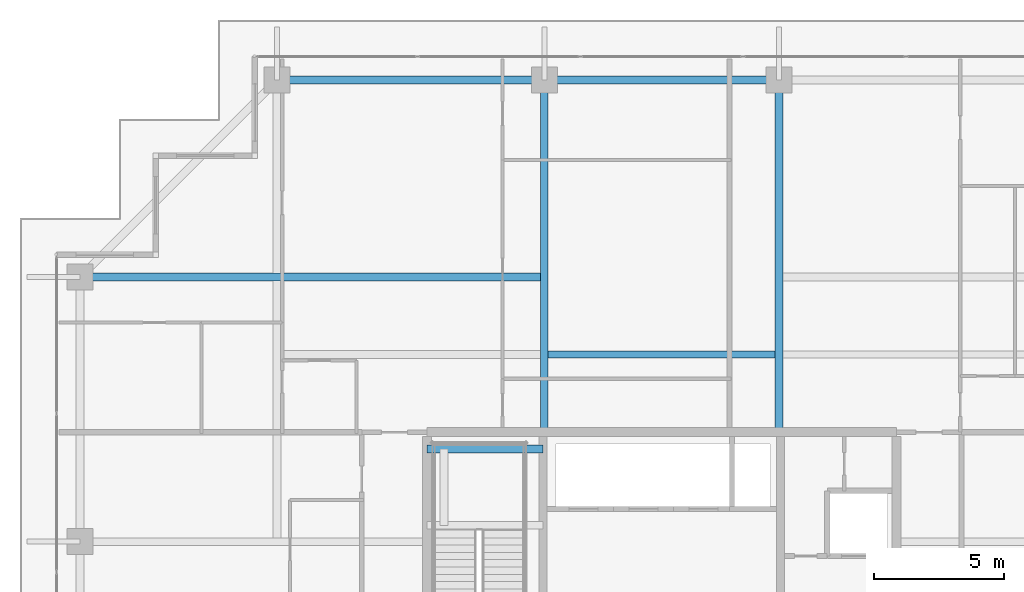
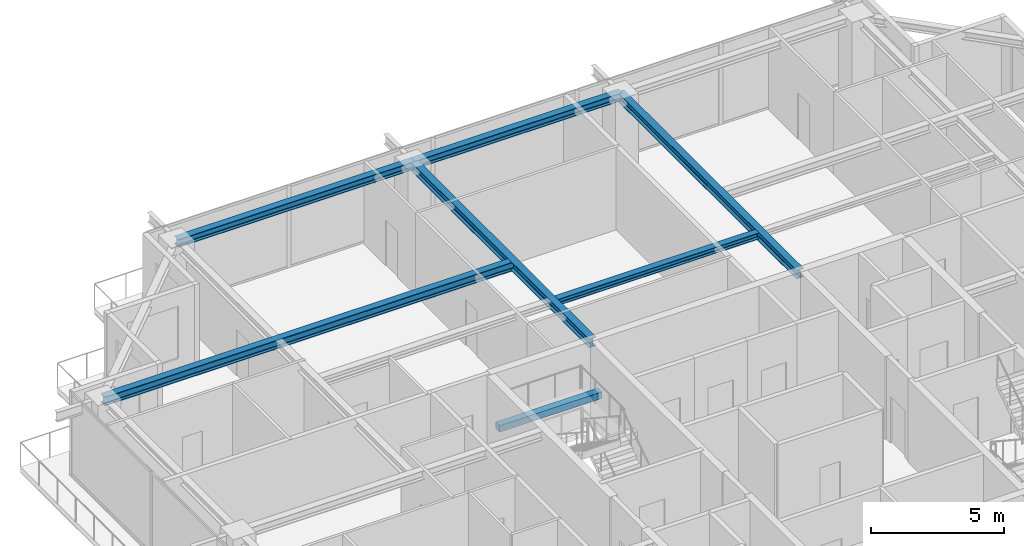
# One storey, part 22 of 42: 7 beams.
"""IFC4 building model written with IfcOpenShell, lengths in metres."""

import ifcopenshell
import ifcopenshell.guid

model = None  # the IFC model being written
_history = None  # IfcOwnerHistory: only IFC2X3 demands one
_inside = {}  # id of a spatial element -> (the spatial element, [elements in it])
_under = {}  # id of a project, library or spatial element -> (it, [spatial elements below it])
_declared = {}  # id of a project -> (the project, [libraries it declares])
_typed = {}  # id of a type object -> (the type object, [elements of that type])
_made_of = {}  # id of a material, layer set ... -> (it, [elements and type objects made of it])


def new_model(schema):
    """Start an empty IFC model of exactly this schema.

    Asked for "IFC4X3", IfcOpenShell would pick the latest addendum, in which some entities
    have other attributes; the version numbers below select the first issue.
    IFC2X3 requires an IfcOwnerHistory on every rooted entity: one is made here for all.
    """
    global model, _history
    if schema == "IFC4X3":
        model = ifcopenshell.file(schema_version=(4, 3, 0, 0))
    else:
        model = ifcopenshell.file(schema=schema)
    _inside.clear()
    _under.clear()
    _declared.clear()
    _typed.clear()
    _made_of.clear()
    _history = None
    if model.schema == "IFC2X3":
        org = make("IfcOrganization", Name="unknown")
        user = make(
            "IfcPersonAndOrganization",
            ThePerson=make("IfcPerson", FamilyName="unknown"),
            TheOrganization=org,
        )
        app = make(
            "IfcApplication",
            ApplicationDeveloper=org,
            Version="unknown",
            ApplicationFullName="unknown",
            ApplicationIdentifier="unknown",
        )
        _history = make(
            "IfcOwnerHistory",
            OwningUser=user,
            OwningApplication=app,
            ChangeAction="ADDED",
            CreationDate=0,
        )
    return model


def make(cls, **values):
    """One entity of the class cls with the attributes given. An attribute that is None is left unset."""
    return model.create_entity(
        cls, **{name: value for name, value in values.items() if value is not None}
    )


def rooted(cls, **values):
    """An entity with a GlobalId (a new one), such as an element, a storey or a relation."""
    return make(cls, GlobalId=ifcopenshell.guid.new(), OwnerHistory=_history, **values)


def si_unit(unit_type, name, prefix=None):
    """IfcSIUnit, for example si_unit("LENGTHUNIT", "METRE", prefix="MILLI")."""
    return make("IfcSIUnit", UnitType=unit_type, Prefix=prefix, Name=name)


def assignment(units):
    """IfcUnitAssignment: the units of a project."""
    return None if units is None else make("IfcUnitAssignment", Units=units)


def point(xyz):
    """IfcCartesianPoint."""
    return None if xyz is None else make("IfcCartesianPoint", Coordinates=xyz)


def direction(xyz):
    """IfcDirection."""
    return None if xyz is None else make("IfcDirection", DirectionRatios=xyz)


def frame(location, z_axis=None, x_axis=None):
    """IfcAxis2Placement3D, a coordinate frame: its origin and axes. An axis left out is left unset."""
    return make(
        "IfcAxis2Placement3D",
        Location=point(location),
        Axis=direction(z_axis),
        RefDirection=direction(x_axis),
    )


def frame_2d(location, x_axis=None):
    """IfcAxis2Placement2D, a coordinate frame in the plane: its origin and x axis."""
    return make(
        "IfcAxis2Placement2D", Location=point(location), RefDirection=direction(x_axis)
    )


def origin():
    """The frame at (0, 0, 0) with its axes left unset."""
    return frame((0.0, 0.0, 0.0))


def origin_2d():
    """The frame at (0, 0) in the plane with its x axis left unset."""
    return frame_2d((0.0, 0.0))


def place(relative_to, where):
    """IfcLocalPlacement: puts the frame where relative to a parent placement (None: the world)."""
    return make(
        "IfcLocalPlacement", PlacementRelTo=relative_to, RelativePlacement=where
    )


def context(
    kind, dimensions, precision=None, world=None, true_north=None, identifier=None
):
    """IfcGeometricRepresentationContext, for example the 3D "Model" context."""
    return make(
        "IfcGeometricRepresentationContext",
        ContextIdentifier=identifier,
        ContextType=kind,
        CoordinateSpaceDimension=dimensions,
        Precision=precision,
        WorldCoordinateSystem=world,
        TrueNorth=true_north,
    )


def subcontext(parent, identifier, kind, view, scale=None):
    """IfcGeometricRepresentationSubContext, for example "Body" below "Model"."""
    return make(
        "IfcGeometricRepresentationSubContext",
        ContextIdentifier=identifier,
        ContextType=kind,
        ParentContext=parent,
        TargetScale=scale,
        TargetView=view,
    )


def project(units=None, contexts=None):
    """IfcProject with its units and contexts."""
    return rooted(
        "IfcProject",
        Name="project",
        RepresentationContexts=contexts,
        UnitsInContext=assignment(units),
    )


def spatial(cls, under=None, at=None, **own):
    """A site, building, storey or space (cls), placed at a placement, below another one or the project."""
    s = rooted(cls, ObjectPlacement=at, **own)
    if under is not None:
        _under.setdefault(under.id(), (under, []))[1].append(s)
    return s


def profile(cls, at=None, kind="AREA", **sizes):
    """A parametric profile (cls). Its sizes go by their IFC names, for example OverallWidth=200.0."""
    return make(cls, ProfileType=kind, Position=at, **sizes)


def rectangle(**sizes):
    """IfcRectangleProfileDef."""
    return profile("IfcRectangleProfileDef", **sizes)


def i_section(**sizes):
    """IfcIShapeProfileDef."""
    return profile("IfcIShapeProfileDef", **sizes)


def extrude(swept, where, along, depth):
    """IfcExtrudedAreaSolid: the profile swept, set in the frame where, extruded along a direction by depth."""
    return make(
        "IfcExtrudedAreaSolid",
        SweptArea=swept,
        Position=where,
        ExtrudedDirection=direction(along),
        Depth=depth,
    )


def shape(context_of_items, identifier, shape_type, items):
    """IfcShapeRepresentation: the items that make up one representation, for example the "Body"."""
    return make(
        "IfcShapeRepresentation",
        ContextOfItems=context_of_items,
        RepresentationIdentifier=identifier,
        RepresentationType=shape_type,
        Items=items,
    )


def source(mapping_origin, context_of_items, identifier, shape_type, items):
    """IfcRepresentationMap: a shape defined once, which mapped items show again and again."""
    return make(
        "IfcRepresentationMap",
        MappingOrigin=mapping_origin,
        MappedRepresentation=shape(context_of_items, identifier, shape_type, items),
    )


def transform(
    local_origin,
    x_axis=None,
    y_axis=None,
    z_axis=None,
    scale=None,
    scale2=None,
    scale3=None,
    uniform=True,
):
    """IfcCartesianTransformationOperator3D, or its non-uniform kind. x_axis, y_axis, z_axis: its Axis1, 2, 3."""
    if uniform:
        return make(
            "IfcCartesianTransformationOperator3D",
            Axis1=direction(x_axis),
            Axis2=direction(y_axis),
            LocalOrigin=point(local_origin),
            Scale=scale,
            Axis3=direction(z_axis),
        )
    return make(
        "IfcCartesianTransformationOperator3DnonUniform",
        Axis1=direction(x_axis),
        Axis2=direction(y_axis),
        LocalOrigin=point(local_origin),
        Scale=scale,
        Axis3=direction(z_axis),
        Scale2=scale2,
        Scale3=scale3,
    )


def mapped(mapping_source, mapping_target):
    """IfcMappedItem: shows the shape of a source again, moved by a transform."""
    return make(
        "IfcMappedItem", MappingSource=mapping_source, MappingTarget=mapping_target
    )


def material(Name=None, Category=None):
    """IfcMaterial."""
    return make("IfcMaterial", Name=Name, Category=Category)


def material_profile(
    of_material, cross_section, Name=None, Category=None, Priority=None
):
    """IfcMaterialProfile: a cross section and its material."""
    return make(
        "IfcMaterialProfile",
        Name=Name,
        Material=of_material,
        Profile=cross_section,
        Priority=Priority,
        Category=Category,
    )


def profile_set(profiles, Name=None, composite=None):
    """IfcMaterialProfileSet."""
    return make(
        "IfcMaterialProfileSet",
        Name=Name,
        MaterialProfiles=profiles,
        CompositeProfile=composite,
    )


def made_of(thing, what):
    """Note that an element or type object is made of a material, layer set ...; save() writes the relation."""
    if what is not None:
        _made_of.setdefault(what.id(), (what, []))[1].append(thing)
    return thing


def type_object(cls, material=None, **own):
    """A type object (cls), such as IfcWallType, which elements share."""
    return made_of(rooted(cls, **own), material)


def element(
    cls,
    number,
    at=None,
    inside=None,
    cuts=None,
    type_object=None,
    material=None,
    context=None,
    identifier="Body",
    shape_type=None,
    held_by="IfcProductDefinitionShape",
    body=None,
    shapes=None,
    **own,
):
    """One element of the class cls, such as IfcWall. Its Tag is "e" and its number.

    at: its placement. inside: the storey or other place that contains it. cuts: it is an
    opening in that element (IfcRelVoidsElement). A single representation is given by context,
    identifier, shape_type and body (its items); several are given by shapes. held_by: the class
    of the entity that holds the representations. save() writes the other relations.
    """
    e = rooted(cls, Tag="e%d" % number, ObjectPlacement=at, **own)
    if body is not None:
        shapes = [shape(context, identifier, shape_type, body)]
    if shapes is not None:
        e.Representation = make(held_by, Representations=shapes)
    if inside is not None:
        _inside.setdefault(inside.id(), (inside, []))[1].append(e)
    if cuts is not None:
        rooted(
            "IfcRelVoidsElement", RelatingBuildingElement=cuts, RelatedOpeningElement=e
        )
    if type_object is not None:
        _typed.setdefault(type_object.id(), (type_object, []))[1].append(e)
    return made_of(e, material)


def aggregate(whole, parts):
    """IfcRelAggregates: a whole, such as a stair, and the parts it consists of."""
    return rooted("IfcRelAggregates", RelatingObject=whole, RelatedObjects=parts)


def save(model, path):
    """Write the relations noted so far, then the file.

    IfcRelAggregates (storeys below a building ...), IfcRelContainedInSpatialStructure (elements
    in a storey), IfcRelDefinesByType, IfcRelAssociatesMaterial and IfcRelDeclares: one each for
    every whole, place, type object, material and project.
    """
    for whole, parts in _under.values():
        aggregate(whole, parts)
    for where, things in _inside.values():
        rooted(
            "IfcRelContainedInSpatialStructure",
            RelatedElements=things,
            RelatingStructure=where,
        )
    for kind, things in _typed.values():
        rooted("IfcRelDefinesByType", RelatedObjects=things, RelatingType=kind)
    for what, things in _made_of.values():
        rooted("IfcRelAssociatesMaterial", RelatedObjects=things, RelatingMaterial=what)
    for by, libraries in _declared.values():
        rooted("IfcRelDeclares", RelatingContext=by, RelatedDefinitions=libraries)
    model.write(path)


model = new_model("IFC4")

# Units and contexts
model_context = context("Model", 3, precision=1e-05, world=origin(), true_north=direction((0.0, 1.0)))
body_context = subcontext(model_context, "Body", "Model", "MODEL_VIEW")
ifc_project = project(units=[si_unit("LENGTHUNIT", "METRE"), si_unit("AREAUNIT", "SQUARE_METRE"), si_unit("VOLUMEUNIT", "CUBIC_METRE"), si_unit("PLANEANGLEUNIT", "RADIAN"), si_unit("MASSUNIT", "GRAM", prefix="KILO")], contexts=[model_context])

# Site, building, storey
site_placement = place(None, origin())
site = spatial("IfcSite", under=ifc_project, at=site_placement, CompositionType="ELEMENT")
building_placement = place(site_placement, origin())
building = spatial("IfcBuilding", under=site, at=building_placement, Name="Serunith Strait Residences", CompositionType="ELEMENT")
storey_placement = place(building_placement, frame((0.0, 0.0, 297.5)))
storey = spatial("IfcBuildingStorey", under=building, at=storey_placement, Name="L74", CompositionType="ELEMENT", Elevation=297.5)

# Beams
ifc_material_1 = material(Name="Steel S355J2", Category="steel")
ifc_material_profile_1 = material_profile(ifc_material_1, i_section(OverallWidth=0.280029296875, OverallDepth=0.280029296875, WebThickness=0.010498046875, FlangeThickness=0.01806640625, FilletRadius=0.02392578125, at=origin_2d()), Name="HEB 280")
ifc_profile_set_1 = profile_set([ifc_material_profile_1], Name="Steel S355J2")
beam_type_1 = type_object("IfcBeamType", Name="BM-HEB280", PredefinedType="JOIST", material=ifc_profile_set_1)
shared_shape_1 = source(origin(), body_context, "Body", "SweptSolid", [
    extrude(i_section(OverallWidth=0.280029296875, OverallDepth=0.280029296875, WebThickness=0.010498046875, FlangeThickness=0.01806640625, FilletRadius=0.02392578125, at=origin_2d()), origin(), (0.0, 0.0, 1.0), 8.699951171875),
])
beam_1_placement = place(storey_placement, frame((28.050048828125, 36.574951171875, 3.64697265625), z_axis=(1.0, 0.0, 0.0), x_axis=(0.0, 1.0, 0.0)))
element("IfcBeam", 1, at=beam_1_placement, inside=storey, type_object=beam_type_1, Name="L74 Composite Floor Joist 05", PredefinedType="JOIST", context=body_context, shape_type="MappedRepresentation", body=[
    mapped(shared_shape_1, transform((0.0, 0.0, 0.0), scale=1.0)),
])
ifc_material_profile_2 = material_profile(ifc_material_1, i_section(OverallWidth=0.300048828125, OverallDepth=0.39990234375, WebThickness=0.013427734375, FlangeThickness=0.02392578125, FilletRadius=0.027099609375, at=origin_2d()), Name="HEB 400")
ifc_profile_set_2 = profile_set([ifc_material_profile_2], Name="Steel S355J2")
beam_type_2 = type_object("IfcBeamType", Name="BM-HEB400", PredefinedType="BEAM", material=ifc_profile_set_2)
shared_shape_2 = source(origin(), body_context, "Body", "SweptSolid", [
    extrude(i_section(OverallWidth=0.300048828125, OverallDepth=0.39990234375, WebThickness=0.013427734375, FlangeThickness=0.02392578125, FilletRadius=0.027099609375, at=origin_2d()), origin(), (0.0, 0.0, 1.0), 13.5),
])
for number, where, z_axis, x_axis, name in (
    (2, (27.89990234375, 33.60009765625, 3.5869140625), (0.0, 1.0, 0.0), (-1.0, 0.0, 0.0), "L74 Primary Floor Girder TC-N2"),
    (3, (36.89990234375, 33.60009765625, 3.5869140625), (0.0, 1.0, 0.0), (-1.0, 0.0, 0.0), "L74 Primary Floor Girder TC-N3"),
):
    element("IfcBeam", number, at=place(storey_placement, frame(where, z_axis=z_axis, x_axis=x_axis)), inside=storey, type_object=beam_type_2, Name=name, PredefinedType="BEAM", context=body_context, shape_type="MappedRepresentation", body=[
        mapped(shared_shape_2, transform((0.0, 0.0, 0.0), scale=1.0)),
    ])
shared_shape_3 = source(origin(), body_context, "Body", "SweptSolid", [
    extrude(i_section(OverallWidth=0.300048828125, OverallDepth=0.39990234375, WebThickness=0.013427734375, FlangeThickness=0.02392578125, FilletRadius=0.027099609375, at=origin_2d()), origin(), (0.0, 0.0, 1.0), 17.7998046875),
])
beam_2_placement = place(storey_placement, frame((27.89990234375, 39.550048828125, 3.5869140625), z_axis=(-1.0, 0.0, 0.0), x_axis=(0.0, -1.0, 0.0)))
element("IfcBeam", 4, at=beam_2_placement, inside=storey, type_object=beam_type_2, Name="L74 Orthogonal Corner Girder TC-W4", PredefinedType="BEAM", context=body_context, shape_type="MappedRepresentation", body=[
    mapped(shared_shape_3, transform((0.0, 0.0, 0.0), scale=1.0)),
])
ifc_material_profile_3 = material_profile(ifc_material_1, i_section(OverallWidth=0.300048828125, OverallDepth=0.360107421875, WebThickness=0.012451171875, FlangeThickness=0.0224609375, FilletRadius=0.027099609375, at=origin_2d()), Name="HEB 360")
ifc_profile_set_3 = profile_set([ifc_material_profile_3], Name="Steel S355J2")
beam_type_3 = type_object("IfcBeamType", Name="BM-HEB360", PredefinedType="BEAM", material=ifc_profile_set_3)
shared_shape_4 = source(origin(), body_context, "Body", "SweptSolid", [
    extrude(i_section(OverallWidth=0.300048828125, OverallDepth=0.360107421875, WebThickness=0.012451171875, FlangeThickness=0.0224609375, FilletRadius=0.027099609375, at=origin_2d()), origin(), (0.0, 0.0, 1.0), 10.25),
])
beam_3_placement = place(storey_placement, frame((27.89990234375, 47.10009765625, 3.60693359375), z_axis=(-1.0, 0.0, 0.0), x_axis=(0.0, -1.0, 0.0)))
element("IfcBeam", 5, at=beam_3_placement, inside=storey, type_object=beam_type_3, Name="L74 Perimeter Ring Beam 11", PredefinedType="BEAM", context=body_context, shape_type="MappedRepresentation", body=[
    mapped(shared_shape_4, transform((0.0, 0.0, 0.0), scale=1.0)),
])
shared_shape_5 = source(origin(), body_context, "Body", "SweptSolid", [
    extrude(i_section(OverallWidth=0.300048828125, OverallDepth=0.360107421875, WebThickness=0.012451171875, FlangeThickness=0.0224609375, FilletRadius=0.027099609375, at=origin_2d()), origin(), (0.0, 0.0, 1.0), 9.0),
])
beam_4_placement = place(storey_placement, frame((36.89990234375, 47.10009765625, 3.60693359375), z_axis=(-1.0, 0.0, 0.0), x_axis=(0.0, -1.0, 0.0)))
element("IfcBeam", 6, at=beam_4_placement, inside=storey, type_object=beam_type_3, Name="L74 Perimeter Ring Beam 10", PredefinedType="BEAM", context=body_context, shape_type="MappedRepresentation", body=[
    mapped(shared_shape_5, transform((0.0, 0.0, 0.0), scale=1.0)),
])
ifc_material_2 = material(Name="Concrete C60/75", Category="concrete")
ifc_material_profile_4 = material_profile(ifc_material_2, rectangle(XDim=0.300048828125, YDim=0.300048828125, at=origin_2d()), Name="RC 300x300")
ifc_profile_set_4 = profile_set([ifc_material_profile_4], Name="Concrete C60/75")
beam_type_4 = type_object("IfcBeamType", Name="BM-LAND-300x300", PredefinedType="BEAM", material=ifc_profile_set_4)
shared_shape_6 = source(origin(), body_context, "Body", "SweptSolid", [
    extrude(rectangle(XDim=0.300048828125, YDim=0.300048828125, at=origin_2d()), origin(), (0.0, 0.0, 1.0), 4.4501953125),
])
beam_5_placement = place(storey_placement, frame((23.39990234375, 32.949951171875, 1.675048828125), z_axis=(1.0, 0.0, 0.0), x_axis=(0.0, 1.0, 0.0)))
element("IfcBeam", 7, at=beam_5_placement, inside=storey, type_object=beam_type_4, Name="L74 ST-1 Landing Support Beam 2", PredefinedType="BEAM", context=body_context, shape_type="MappedRepresentation", body=[
    mapped(shared_shape_6, transform((0.0, 0.0, 0.0), scale=1.0)),
])

save(model, "model.ifc")
